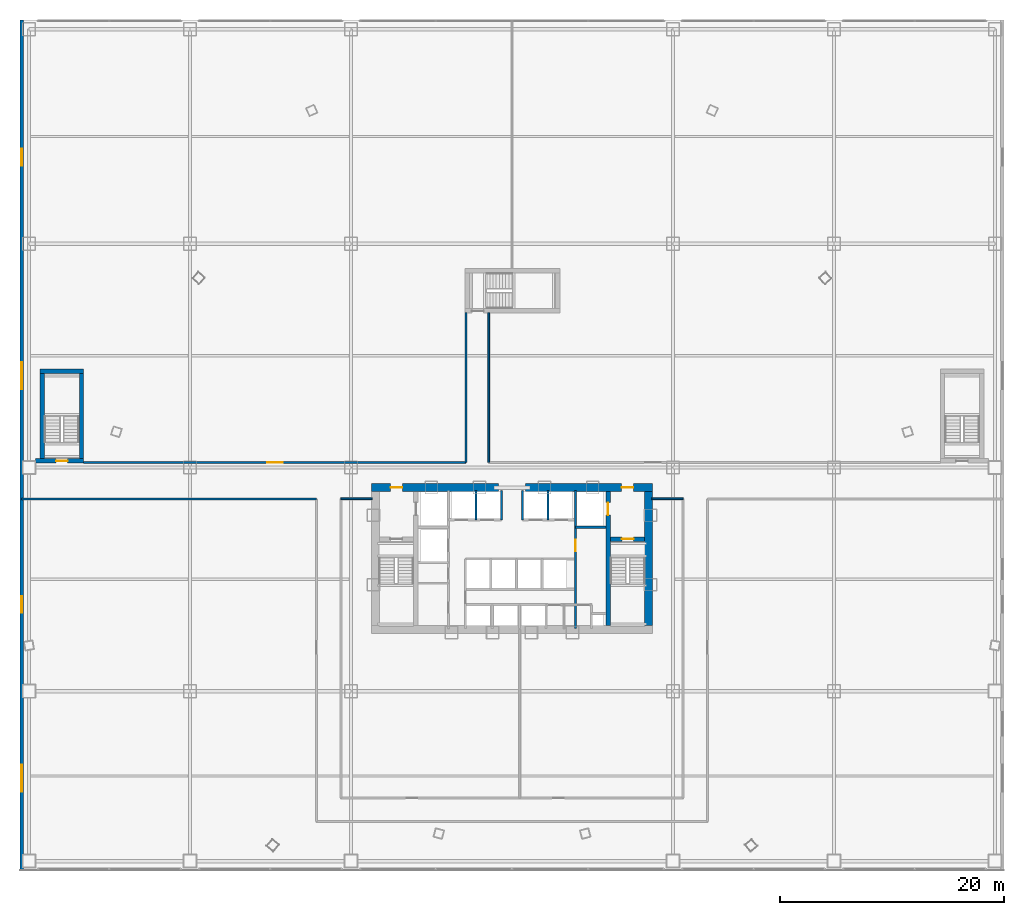
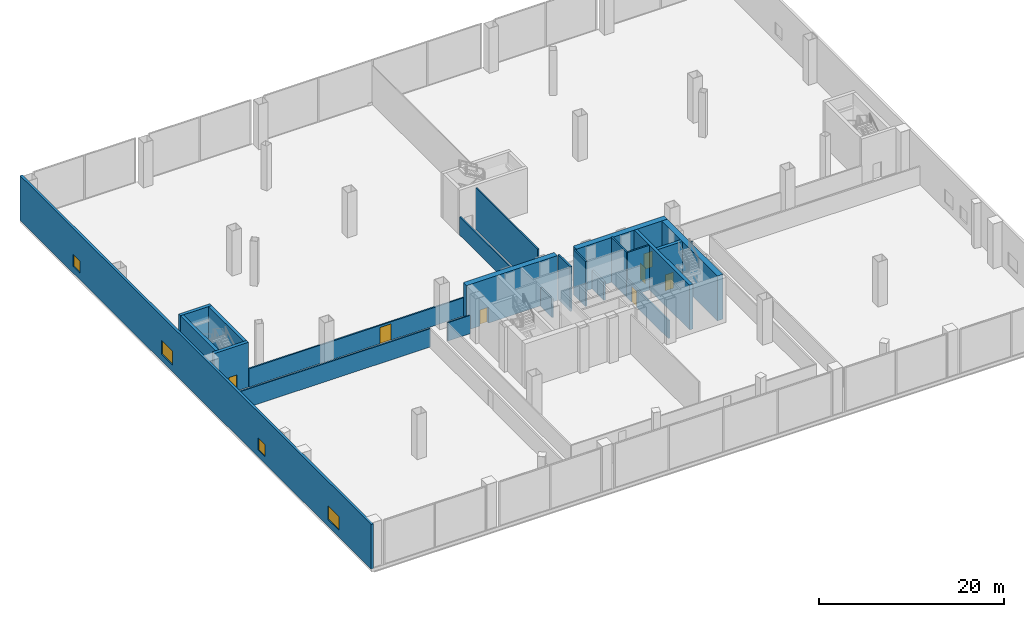
# One storey, part 35 of 41: 23 walls, 7 doors, 4 windows, 11 openings.
"""IFC4 building model written with IfcOpenShell, lengths in metres."""

from ifc_helpers import new_model, si_unit, direction, frame, frame_2d, origin, origin_with_axes, place, context, subcontext, project, spatial, rectangle, extrude, source, transform, mapped, material, layer, layer_set, type_object, element, fill, save


model = new_model("IFC4")

# Units and contexts
model_context = context("Model", 3, precision=1e-05, world=origin(), true_north=direction((0.0, 1.0)))
body_context = subcontext(model_context, "Body", "Model", "MODEL_VIEW")
ifc_project = project(units=[si_unit("LENGTHUNIT", "METRE"), si_unit("AREAUNIT", "SQUARE_METRE"), si_unit("VOLUMEUNIT", "CUBIC_METRE"), si_unit("PLANEANGLEUNIT", "RADIAN"), si_unit("MASSUNIT", "GRAM", prefix="KILO"), si_unit("THERMODYNAMICTEMPERATUREUNIT", "KELVIN"), si_unit("POWERUNIT", "WATT")], contexts=[model_context])

# Site, building, storey
site_placement = place(None, origin())
site = spatial("IfcSite", under=ifc_project, at=site_placement, CompositionType="ELEMENT")
building_placement = place(site_placement, origin())
building = spatial("IfcBuilding", under=site, at=building_placement, Name="Yunzhuo Pagoda Commons", CompositionType="ELEMENT")
storey_placement = place(building_placement, frame((0.0, 0.0, 19.199951171875)))
storey = spatial("IfcBuildingStorey", under=building, at=storey_placement, Name="L05", CompositionType="ELEMENT", Elevation=19.199951171875)

# Wall, opening, door
ifc_material_1 = material(Name="Concrete C60", Category="concrete")
ifc_layer_1 = layer(ifc_material_1, 0.699951171875)
ifc_layer_set_1 = layer_set([ifc_layer_1], Name="Concrete C60")
wall_type_1 = type_object("IfcWallType", Name="W-C01 Lower Core Shear Wall 700", PredefinedType="SHEAR", material=ifc_layer_set_1)
wall_1_placement = place(storey_placement, frame((35.449951171875, 40.199951171875, 0.0), z_axis=(0.0, 0.0, 1.0), x_axis=(1.0, 0.0, 0.0)))
wall_1 = element("IfcWall", 1, at=wall_1_placement, inside=storey, type_object=wall_type_1, Name="L05 core shear wall NW", PredefinedType="SHEAR", context=body_context, shape_type="SweptSolid", body=[
    extrude(rectangle(XDim=11.35009765625, YDim=0.699951171875, at=frame_2d((5.675048828125, 0.0))), origin(), (0.0, 0.0, 1.0), 5.920166015625),
])
opening_1_placement = place(wall_1_placement, frame((1.699951171875, 0.0, 0.0)))
opening_1 = element("IfcOpeningElement", 2, at=opening_1_placement, cuts=wall_1, Name="Opening D-02", PredefinedType="OPENING", context=body_context, shape_type="SweptSolid", body=[
    extrude(rectangle(XDim=1.050048828125, YDim=2.10009765625, at=frame_2d((0.52490234375, 1.050048828125))), frame((0.0, 0.35986328125, 0.0), z_axis=(0.0, -1.0, 0.0), x_axis=(1.0, 0.0, 0.0)), (0.0, 0.0, 1.0), 0.719970703125),
])
ifc_material_2 = material(Name="Galvanized fire-resisting metal leaf")
door_type_1 = type_object("IfcDoorType", Name="D-02 Firefighting Lobby & Refuge Fire Door 1050x2100", OperationType="NOTDEFINED", PredefinedType="DOOR", material=ifc_material_2)
shared_shape_1 = source(origin(), body_context, "Body", "SweptSolid", [
    extrude(rectangle(XDim=1.050048828125, YDim=2.10009765625, at=frame_2d((0.52490234375, 1.050048828125))), frame((0.0, 0.02490234375, 0.0), z_axis=(0.0, -1.0, 0.0), x_axis=(1.0, 0.0, 0.0)), (0.0, 0.0, 1.0), 0.050048828125),
])
door_1_placement = place(opening_1_placement, frame((1.050048828125, 0.0, 0.0), z_axis=(0.0, 0.0, 1.0), x_axis=(-1.0, 0.0, 0.0)))
door_1 = element("IfcDoor", 3, at=door_1_placement, inside=storey, type_object=door_type_1, Name="L05 Firefighting Lobby 1 fire door", OperationType="SINGLE_SWING_LEFT", OverallHeight=2.10009765625, OverallWidth=1.050048828125, PredefinedType="DOOR", context=body_context, shape_type="MappedRepresentation", body=[
    mapped(shared_shape_1, transform((0.0, 0.0, 0.0), scale=1.0)),
])
fill(opening_1, door_1)

wall_2_placement = place(storey_placement, frame((49.199951171875, 40.199951171875, 0.0), z_axis=(0.0, 0.0, 1.0), x_axis=(1.0, 0.0, 0.0)))
wall_2 = element("IfcWall", 4, at=wall_2_placement, inside=storey, type_object=wall_type_1, Name="L05 core shear wall NE", PredefinedType="SHEAR", context=body_context, shape_type="SweptSolid", body=[
    extrude(rectangle(XDim=11.35009765625, YDim=0.699951171875, at=frame_2d((5.675048828125, 0.0))), origin(), (0.0, 0.0, 1.0), 5.920166015625),
])
opening_2_placement = place(wall_2_placement, frame((8.60009765625, 0.0, 0.0)))
opening_2 = element("IfcOpeningElement", 5, at=opening_2_placement, cuts=wall_2, Name="Opening D-02", PredefinedType="OPENING", context=body_context, shape_type="SweptSolid", body=[
    extrude(rectangle(XDim=1.050048828125, YDim=2.10009765625, at=frame_2d((0.52490234375, 1.050048828125))), frame((0.0, 0.35986328125, 0.0), z_axis=(0.0, -1.0, 0.0), x_axis=(1.0, 0.0, 0.0)), (0.0, 0.0, 1.0), 0.719970703125),
])
door_2_placement = place(opening_2_placement, frame((1.050048828125, 0.0, 0.0), z_axis=(0.0, 0.0, 1.0), x_axis=(-1.0, 0.0, 0.0)))
door_2 = element("IfcDoor", 6, at=door_2_placement, inside=storey, type_object=door_type_1, Name="L05 Firefighting Lobby 2 fire door", OperationType="SINGLE_SWING_RIGHT", OverallHeight=2.10009765625, OverallWidth=1.050048828125, PredefinedType="DOOR", context=body_context, shape_type="MappedRepresentation", body=[
    mapped(shared_shape_1, transform((0.0, 0.0, 0.0), scale=1.0)),
])
fill(opening_2, door_2)

# Walls
wall_3_placement = place(storey_placement, frame((60.199951171875, 27.85009765625, 0.0), z_axis=(0.0, 0.0, 1.0), x_axis=(0.0, 1.0, 0.0)))
element("IfcWall", 7, at=wall_3_placement, inside=storey, type_object=wall_type_1, Name="L05 core shear wall E", PredefinedType="SHEAR", context=body_context, shape_type="SweptSolid", body=[
    extrude(rectangle(XDim=12.0, YDim=0.699951171875, at=frame_2d((6.0, 0.0))), origin(), (0.0, 0.0, 1.0), 5.920166015625),
])
ifc_material_3 = material(Name="Gypsum plasterboard on acoustic stud")
ifc_layer_2 = layer(ifc_material_3, 0.159912109375)
ifc_layer_set_2 = layer_set([ifc_layer_2], Name="Gypsum plasterboard on acoustic stud")
wall_type_2 = type_object("IfcWallType", Name="W-COR1 Tower Rated Corridor Wall 160", PredefinedType="PARTITIONING", material=ifc_layer_set_2)
wall_4_placement = place(storey_placement, frame((43.8798828125, 42.449951171875, 0.0), z_axis=(0.0, 0.0, 1.0), x_axis=(0.0, 1.0, 0.0)))
element("IfcWall", 8, at=wall_4_placement, inside=storey, type_object=wall_type_2, Name="L05 interior wall IW-L05-SPNW", PredefinedType="PARTITIONING", context=body_context, shape_type="SweptSolid", body=[
    extrude(rectangle(XDim=13.400146484375, YDim=0.159912109375, at=frame_2d((6.7001953125, 0.0))), origin(), (0.0, 0.0, 1.0), 2.420166015625),
])
wall_5_placement = place(storey_placement, frame((45.919921875, 42.449951171875, 0.0), z_axis=(0.0, 0.0, 1.0), x_axis=(0.0, 1.0, 0.0)))
element("IfcWall", 9, at=wall_5_placement, inside=storey, type_object=wall_type_2, Name="L05 interior wall IW-L05-SPNE", PredefinedType="PARTITIONING", context=body_context, shape_type="SweptSolid", body=[
    extrude(rectangle(XDim=13.400146484375, YDim=0.159912109375, at=frame_2d((6.7001953125, 0.0))), origin(), (0.0, 0.0, 1.0), 5.52001953125),
])
for number, where, z_axis, x_axis, name in (
    (10, (32.699951171875, 39.199951171875, 0.0), (0.0, 0.0, 1.0), (1.0, 0.0, 0.0), "L05 interior wall IW-L05-PSMNW"),
    (11, (60.5, 39.199951171875, 0.0), (0.0, 0.0, 1.0), (1.0, 0.0, 0.0), "L05 interior wall IW-L05-PSMNE"),
):
    element("IfcWall", number, at=place(storey_placement, frame(where, z_axis=z_axis, x_axis=x_axis)), inside=storey, type_object=wall_type_2, Name=name, PredefinedType="PARTITIONING", context=body_context, shape_type="SweptSolid", body=[
        extrude(rectangle(XDim=2.800048828125, YDim=0.159912109375, at=frame_2d((1.39990234375, 0.0))), origin(), (0.0, 0.0, 1.0), 2.420166015625),
    ])

# Wall, openings, windows
ifc_material_4 = material(Name="Precast concrete C40", Category="concrete")
ifc_layer_3 = layer(ifc_material_4, 0.300048828125)
ifc_layer_set_3 = layer_set([ifc_layer_3], Name="Precast concrete C40")
wall_type_3 = type_object("IfcWallType", Name="W-EXT1 Podium Precast Spandrel Wall 300", PredefinedType="STANDARD", material=ifc_layer_set_3)
wall_6_placement = place(storey_placement, frame((4.14990234375, 6.0, 0.0), z_axis=(0.0, 0.0, 1.0), x_axis=(0.0, 1.0, 0.0)))
wall_6 = element("IfcWall", 12, at=wall_6_placement, inside=storey, type_object=wall_type_3, Name="L05 W precast spandrel wall", PredefinedType="STANDARD", context=body_context, shape_type="SweptSolid", body=[
    extrude(rectangle(XDim=76.0, YDim=0.300048828125, at=frame_2d((38.0, 0.0))), origin(), (0.0, 0.0, 1.0), 5.920166015625),
])
opening_3_placement = place(wall_6_placement, frame((7.0, 0.0, 0.89990234375)))
opening_3 = element("IfcOpeningElement", 13, at=opening_3_placement, cuts=wall_6, Name="Opening W-01", PredefinedType="OPENING", context=body_context, shape_type="SweptSolid", body=[
    extrude(rectangle(XDim=2.39990234375, YDim=1.800048828125, at=frame_2d((1.199951171875, 0.89990234375))), frame((0.0, 0.16015625, 0.0), z_axis=(0.0, -1.0, 0.0), x_axis=(1.0, 0.0, 0.0)), (0.0, 0.0, 1.0), 0.320068359375),
])
opening_4_placement = place(wall_6_placement, frame((23.0, 0.0, 0.89990234375)))
opening_4 = element("IfcOpeningElement", 14, at=opening_4_placement, cuts=wall_6, Name="Opening W-02", PredefinedType="OPENING", context=body_context, shape_type="SweptSolid", body=[
    extrude(rectangle(XDim=1.5, YDim=1.60009765625, at=frame_2d((0.75, 0.800048828125))), frame((0.0, 0.16015625, 0.0), z_axis=(0.0, -1.0, 0.0), x_axis=(1.0, 0.0, 0.0)), (0.0, 0.0, 1.0), 0.320068359375),
])
opening_5_placement = place(wall_6_placement, frame((43.0, 0.0, 0.89990234375)))
opening_5 = element("IfcOpeningElement", 15, at=opening_5_placement, cuts=wall_6, Name="Opening W-01", PredefinedType="OPENING", context=body_context, shape_type="SweptSolid", body=[
    extrude(rectangle(XDim=2.39990234375, YDim=1.800048828125, at=frame_2d((1.199951171875, 0.89990234375))), frame((0.0, 0.16015625, 0.0), z_axis=(0.0, -1.0, 0.0), x_axis=(1.0, 0.0, 0.0)), (0.0, 0.0, 1.0), 0.320068359375),
])
opening_6_placement = place(wall_6_placement, frame((63.0, 0.0, 0.89990234375)))
opening_6 = element("IfcOpeningElement", 16, at=opening_6_placement, cuts=wall_6, Name="Opening W-02", PredefinedType="OPENING", context=body_context, shape_type="SweptSolid", body=[
    extrude(rectangle(XDim=1.5, YDim=1.60009765625, at=frame_2d((0.75, 0.800048828125))), frame((0.0, 0.16015625, 0.0), z_axis=(0.0, -1.0, 0.0), x_axis=(1.0, 0.0, 0.0)), (0.0, 0.0, 1.0), 0.320068359375),
])
ifc_material_5 = material(Name="Tempered low-e double glazing", Category="glass")
window_type_1 = type_object("IfcWindowType", Name="W-01 Podium Fixed Ribbon Window 2400x1800", PartitioningType="DOUBLE_PANEL_VERTICAL", PredefinedType="WINDOW", material=ifc_material_5)
shared_shape_2 = source(origin(), body_context, "Body", "SweptSolid", [
    extrude(rectangle(XDim=2.39990234375, YDim=1.800048828125, at=frame_2d((1.199951171875, 0.89990234375))), frame((0.0, 0.030029296875, 0.0), z_axis=(0.0, -1.0, 0.0), x_axis=(1.0, 0.0, 0.0)), (0.0, 0.0, 1.0), 0.06005859375),
])
window_1_placement = place(opening_3_placement, origin_with_axes())
window_1 = element("IfcWindow", 17, at=window_1_placement, inside=storey, type_object=window_type_1, Name="L05 W window 1", OverallHeight=1.800048828125, OverallWidth=2.39990234375, PartitioningType="SINGLE_PANEL", PredefinedType="WINDOW", context=body_context, shape_type="MappedRepresentation", body=[
    mapped(shared_shape_2, transform((0.0, 0.0, 0.0), scale=1.0)),
])
fill(opening_3, window_1)
window_2_placement = place(opening_5_placement, origin_with_axes())
window_2 = element("IfcWindow", 18, at=window_2_placement, inside=storey, type_object=window_type_1, Name="L05 W window 3", OverallHeight=1.800048828125, OverallWidth=2.39990234375, PartitioningType="SINGLE_PANEL", PredefinedType="WINDOW", context=body_context, shape_type="MappedRepresentation", body=[
    mapped(shared_shape_2, transform((0.0, 0.0, 0.0), scale=1.0)),
])
fill(opening_5, window_2)
window_type_2 = type_object("IfcWindowType", Name="W-02 Podium Casement Window 1500x1600", PartitioningType="SINGLE_PANEL", PredefinedType="WINDOW", material=ifc_material_5)
shared_shape_3 = source(origin(), body_context, "Body", "SweptSolid", [
    extrude(rectangle(XDim=1.5, YDim=1.60009765625, at=frame_2d((0.75, 0.800048828125))), frame((0.0, 0.030029296875, 0.0), z_axis=(0.0, -1.0, 0.0), x_axis=(1.0, 0.0, 0.0)), (0.0, 0.0, 1.0), 0.06005859375),
])
window_3_placement = place(opening_4_placement, origin_with_axes())
window_3 = element("IfcWindow", 19, at=window_3_placement, inside=storey, type_object=window_type_2, Name="L05 W window 2", OverallHeight=1.60009765625, OverallWidth=1.5, PartitioningType="SINGLE_PANEL", PredefinedType="WINDOW", context=body_context, shape_type="MappedRepresentation", body=[
    mapped(shared_shape_3, transform((0.0, 0.0, 0.0), scale=1.0)),
])
fill(opening_4, window_3)
window_4_placement = place(opening_6_placement, origin_with_axes())
window_4 = element("IfcWindow", 20, at=window_4_placement, inside=storey, type_object=window_type_2, Name="L05 W window 4", OverallHeight=1.60009765625, OverallWidth=1.5, PartitioningType="SINGLE_PANEL", PredefinedType="WINDOW", context=body_context, shape_type="MappedRepresentation", body=[
    mapped(shared_shape_3, transform((0.0, 0.0, 0.0), scale=1.0)),
])
fill(opening_6, window_4)

# Wall, opening, door
ifc_layer_4 = layer(ifc_material_3, 0.179931640625)
ifc_layer_set_4 = layer_set([ifc_layer_4], Name="Gypsum plasterboard on acoustic stud")
wall_type_4 = type_object("IfcWallType", Name="W-PRT2 Acoustic Unit Demising Wall 180", PredefinedType="PARTITIONING", material=ifc_layer_set_4)
wall_7_placement = place(storey_placement, frame((9.699951171875, 42.449951171875, 0.0), z_axis=(0.0, 0.0, 1.0), x_axis=(1.0, 0.0, 0.0)))
wall_7 = element("IfcWall", 21, at=wall_7_placement, inside=storey, type_object=wall_type_4, Name="L05 interior wall IW-L05-PNWW", PredefinedType="PARTITIONING", context=body_context, shape_type="SweptSolid", body=[
    extrude(rectangle(XDim=34.179931640625, YDim=0.179931640625, at=frame_2d((17.08984375, 0.0))), origin(), (0.0, 0.0, 1.0), 2.420166015625),
])
opening_7_placement = place(wall_7_placement, frame((16.389892578125, 0.0, 0.0)))
opening_7 = element("IfcOpeningElement", 22, at=opening_7_placement, cuts=wall_7, Name="Opening D-10", PredefinedType="OPENING", context=body_context, shape_type="SweptSolid", body=[
    extrude(rectangle(XDim=1.39990234375, YDim=2.14990234375, at=frame_2d((0.699951171875, 1.074951171875))), frame((0.0, 0.10009765625, 0.0), z_axis=(0.0, -1.0, 0.0), x_axis=(1.0, 0.0, 0.0)), (0.0, 0.0, 1.0), 0.199951171875),
])
door_type_2 = type_object("IfcDoorType", Name="D-10 Podium Dining & Library Double Leaf Door 1400x2150", OperationType="NOTDEFINED", PredefinedType="DOOR", material=ifc_material_2)
shared_shape_4 = source(origin(), body_context, "Body", "SweptSolid", [
    extrude(rectangle(XDim=1.39990234375, YDim=2.14990234375, at=frame_2d((0.699951171875, 1.074951171875))), frame((0.0, 0.02490234375, 0.0), z_axis=(0.0, -1.0, 0.0), x_axis=(1.0, 0.0, 0.0)), (0.0, 0.0, 1.0), 0.050048828125),
])
door_3_placement = place(opening_7_placement, origin_with_axes())
door_3 = element("IfcDoor", 23, at=door_3_placement, inside=storey, type_object=door_type_2, Name="L05 Fitness and Wellness Commons door W", OperationType="SINGLE_SWING_LEFT", OverallHeight=2.14990234375, OverallWidth=1.39990234375, PredefinedType="DOOR", context=body_context, shape_type="MappedRepresentation", body=[
    mapped(shared_shape_4, transform((0.0, 0.0, 0.0), scale=1.0)),
])
fill(opening_7, door_3)

# Wall
wall_8_placement = place(storey_placement, frame((4.14990234375, 39.199951171875, 0.0), z_axis=(0.0, 0.0, 1.0), x_axis=(1.0, 0.0, 0.0)))
element("IfcWall", 24, at=wall_8_placement, inside=storey, type_object=wall_type_4, Name="L05 interior wall IW-L05-PWESTN", PredefinedType="PARTITIONING", context=body_context, shape_type="SweptSolid", body=[
    extrude(rectangle(XDim=26.35009765625, YDim=0.179931640625, at=frame_2d((13.175048828125, 0.0))), origin(), (0.0, 0.0, 1.0), 2.420166015625),
])

# Wall, opening, door
ifc_layer_5 = layer(ifc_material_1, 0.39990234375)
ifc_layer_set_5 = layer_set([ifc_layer_5], Name="Concrete C60")
wall_type_5 = type_object("IfcWallType", Name="W-S01 Internal Core Shear Web 400", PredefinedType="SHEAR", material=ifc_layer_set_5)
wall_9_placement = place(storey_placement, frame((56.60009765625, 27.85009765625, 0.0), z_axis=(0.0, 0.0, 1.0), x_axis=(0.0, 1.0, 0.0)))
wall_9 = element("IfcWall", 25, at=wall_9_placement, inside=storey, type_object=wall_type_5, Name="L05 core shear wall WEBE", PredefinedType="SHEAR", context=body_context, shape_type="SweptSolid", body=[
    extrude(rectangle(XDim=12.0, YDim=0.39990234375, at=frame_2d((6.0, 0.0))), origin(), (0.0, 0.0, 1.0), 5.920166015625),
])
opening_8_placement = place(wall_9_placement, frame((9.89990234375, 0.0, 0.0)))
opening_8 = element("IfcOpeningElement", 26, at=opening_8_placement, cuts=wall_9, Name="Opening LD-01", PredefinedType="OPENING", context=body_context, shape_type="SweptSolid", body=[
    extrude(rectangle(XDim=1.10009765625, YDim=2.10009765625, at=frame_2d((0.550048828125, 1.050048828125))), frame((0.0, 0.2099609375, 0.0), z_axis=(0.0, -1.0, 0.0), x_axis=(1.0, 0.0, 0.0)), (0.0, 0.0, 1.0), 0.419921875),
])
door_type_3 = type_object("IfcDoorType", Name="LD-01 Firefighting Lift Landing Door 1100x2100", OperationType="DOUBLE_DOOR_SLIDING", PredefinedType="DOOR", material=ifc_material_2)
shared_shape_5 = source(origin(), body_context, "Body", "SweptSolid", [
    extrude(rectangle(XDim=1.10009765625, YDim=2.10009765625, at=frame_2d((0.550048828125, 1.050048828125))), frame((0.0, 0.02490234375, 0.0), z_axis=(0.0, -1.0, 0.0), x_axis=(1.0, 0.0, 0.0)), (0.0, 0.0, 1.0), 0.050048828125),
])
door_4_placement = place(opening_8_placement, origin_with_axes())
door_4 = element("IfcDoor", 27, at=door_4_placement, inside=storey, type_object=door_type_3, Name="L05 Firefighting lift FL-2 landing door", OperationType="DOUBLE_DOOR_SLIDING", OverallHeight=2.10009765625, OverallWidth=1.10009765625, PredefinedType="DOOR", context=body_context, shape_type="MappedRepresentation", body=[
    mapped(shared_shape_5, transform((0.0, 0.0, 0.0), scale=1.0)),
])
fill(opening_8, door_4)

wall_10_placement = place(storey_placement, frame((56.800048828125, 35.60009765625, 0.0), z_axis=(0.0, 0.0, 1.0), x_axis=(1.0, 0.0, 0.0)))
wall_10 = element("IfcWall", 28, at=wall_10_placement, inside=storey, type_object=wall_type_5, Name="L05 core shear wall STE", PredefinedType="SHEAR", context=body_context, shape_type="SweptSolid", body=[
    extrude(rectangle(XDim=3.050048828125, YDim=0.39990234375, at=frame_2d((1.52490234375, 0.0))), origin(), (0.0, 0.0, 1.0), 5.920166015625),
])
opening_9_placement = place(wall_10_placement, frame((1.02001953125, 0.0, 0.0)))
opening_9 = element("IfcOpeningElement", 29, at=opening_9_placement, cuts=wall_10, Name="Opening D-01", PredefinedType="OPENING", context=body_context, shape_type="SweptSolid", body=[
    extrude(rectangle(XDim=1.050048828125, YDim=2.10009765625, at=frame_2d((0.52490234375, 1.050048828125))), frame((0.0, 0.2099609375, 0.0), z_axis=(0.0, -1.0, 0.0), x_axis=(1.0, 0.0, 0.0)), (0.0, 0.0, 1.0), 0.419921875),
])
door_type_4 = type_object("IfcDoorType", Name="D-01 Smokeproof Stair Fire Door 1050x2100", OperationType="NOTDEFINED", PredefinedType="DOOR", material=ifc_material_2)
door_5_placement = place(opening_9_placement, frame((1.050048828125, 0.0, 0.0), z_axis=(0.0, 0.0, 1.0), x_axis=(-1.0, 0.0, 0.0)))
door_5 = element("IfcDoor", 30, at=door_5_placement, inside=storey, type_object=door_type_4, Name="L05 Stair ST2 fire door", OperationType="SINGLE_SWING_RIGHT", OverallHeight=2.10009765625, OverallWidth=1.050048828125, PredefinedType="DOOR", context=body_context, shape_type="MappedRepresentation", body=[
    mapped(shared_shape_1, transform((0.0, 0.0, 0.0), scale=1.0)),
])
fill(opening_9, door_5)

# Wall
wall_11_placement = place(storey_placement, frame((5.800048828125, 50.60009765625, 0.0), z_axis=(0.0, 0.0, 1.0), x_axis=(1.0, 0.0, 0.0)))
element("IfcWall", 31, at=wall_11_placement, inside=storey, type_object=wall_type_5, Name="L05 PS3 structural stair wall N", PredefinedType="SHEAR", context=body_context, shape_type="SweptSolid", body=[
    extrude(rectangle(XDim=3.89990234375, YDim=0.39990234375, at=frame_2d((1.949951171875, 0.0))), origin(), (0.0, 0.0, 1.0), 5.920166015625),
])

# Wall, opening, door
wall_12_placement = place(storey_placement, frame((5.39990234375, 42.60009765625, 0.0), z_axis=(0.0, 0.0, 1.0), x_axis=(1.0, 0.0, 0.0)))
wall_12 = element("IfcWall", 32, at=wall_12_placement, inside=storey, type_object=wall_type_5, Name="L05 PS3 structural stair wall S", PredefinedType="SHEAR", context=body_context, shape_type="SweptSolid", body=[
    extrude(rectangle(XDim=4.300048828125, YDim=0.39990234375, at=frame_2d((2.14990234375, 0.0))), origin(), (0.0, 0.0, 1.0), 5.920166015625),
])
opening_10_placement = place(wall_12_placement, frame((1.820068359375, 0.0, 0.0)))
opening_10 = element("IfcOpeningElement", 33, at=opening_10_placement, cuts=wall_12, Name="Opening D-01", PredefinedType="OPENING", context=body_context, shape_type="SweptSolid", body=[
    extrude(rectangle(XDim=1.050048828125, YDim=2.10009765625, at=frame_2d((0.52490234375, 1.050048828125))), frame((0.0, 0.2099609375, 0.0), z_axis=(0.0, -1.0, 0.0), x_axis=(1.0, 0.0, 0.0)), (0.0, 0.0, 1.0), 0.419921875),
])
door_6_placement = place(opening_10_placement, frame((1.050048828125, 0.0, 0.0), z_axis=(0.0, 0.0, 1.0), x_axis=(-1.0, 0.0, 0.0)))
door_6 = element("IfcDoor", 34, at=door_6_placement, inside=storey, type_object=door_type_4, Name="L05 PS3 stair fire door", OperationType="SINGLE_SWING_LEFT", OverallHeight=2.10009765625, OverallWidth=1.050048828125, PredefinedType="DOOR", context=body_context, shape_type="MappedRepresentation", body=[
    mapped(shared_shape_1, transform((0.0, 0.0, 0.0), scale=1.0)),
])
fill(opening_10, door_6)

# Walls
for number, where, z_axis, x_axis, name in (
    (35, (6.0, 42.800048828125, 0.0), (0.0, 0.0, 1.0), (0.0, 1.0, 0.0), "L05 PS3 structural stair wall W"),
    (36, (9.5, 42.800048828125, 0.0), (0.0, 0.0, 1.0), (0.0, 1.0, 0.0), "L05 PS3 structural stair wall E"),
):
    element("IfcWall", number, at=place(storey_placement, frame(where, z_axis=z_axis, x_axis=x_axis)), inside=storey, type_object=wall_type_5, Name=name, PredefinedType="SHEAR", context=body_context, shape_type="SweptSolid", body=[
        extrude(rectangle(XDim=7.599853515625, YDim=0.39990234375, at=frame_2d((3.7998046875, 0.0))), origin(), (0.0, 0.0, 1.0), 5.920166015625),
    ])
ifc_material_6 = material(Name="Concrete C40", Category="concrete")
ifc_layer_6 = layer(ifc_material_6, 0.199951171875)
ifc_layer_set_6 = layer_set([ifc_layer_6], Name="Concrete C40")
wall_type_6 = type_object("IfcWallType", Name="W-SHF Shaft & Stair Enclosure Wall 200", PredefinedType="SOLIDWALL", material=ifc_layer_set_6)
wall_13_placement = place(storey_placement, frame((53.679931640625, 36.64990234375, 0.0), z_axis=(0.0, 0.0, 1.0), x_axis=(0.0, 1.0, 0.0)))
element("IfcWall", 37, at=wall_13_placement, inside=storey, type_object=wall_type_6, Name="L05 interior wall IW-L05-FL2W", PredefinedType="SOLIDWALL", context=body_context, shape_type="SweptSolid", body=[
    extrude(rectangle(XDim=3.300048828125, YDim=0.199951171875, at=frame_2d((1.64990234375, 0.0))), origin(), (0.0, 0.0, 1.0), 5.920166015625),
])
wall_14_placement = place(storey_placement, frame((53.679931640625, 36.64990234375, 0.0), z_axis=(0.0, 0.0, 1.0), x_axis=(1.0, 0.0, 0.0)))
element("IfcWall", 38, at=wall_14_placement, inside=storey, type_object=wall_type_6, Name="L05 interior wall IW-L05-FL2S", PredefinedType="SOLIDWALL", context=body_context, shape_type="SweptSolid", body=[
    extrude(rectangle(XDim=2.719970703125, YDim=0.199951171875, at=frame_2d((1.35986328125, 0.0))), origin(), (0.0, 0.0, 1.0), 5.920166015625),
])
for number, where, z_axis, x_axis, name in (
    (39, (47.050048828125, 37.320068359375, 0.0), (0.0, 0.0, 1.0), (0.0, 1.0, 0.0), "L05 interior wall IW-L05-THRW"),
    (40, (48.949951171875, 37.320068359375, 0.0), (0.0, 0.0, 1.0), (0.0, 1.0, 0.0), "L05 interior wall IW-L05-THRE"),
):
    element("IfcWall", number, at=place(storey_placement, frame(where, z_axis=z_axis, x_axis=x_axis)), inside=storey, type_object=wall_type_6, Name=name, PredefinedType="SOLIDWALL", context=body_context, shape_type="SweptSolid", body=[
        extrude(rectangle(XDim=2.6298828125, YDim=0.199951171875, at=frame_2d((1.31494140625, 0.0))), origin(), (0.0, 0.0, 1.0), 5.920166015625),
    ])
for number, where, z_axis, x_axis, name in (
    (41, (44.77001953125, 37.320068359375, 0.0), (0.0, 0.0, 1.0), (0.0, 1.0, 0.0), "L05 interior wall IW-L05-PLL12"),
    (42, (51.22998046875, 37.320068359375, 0.0), (0.0, 0.0, 1.0), (0.0, 1.0, 0.0), "L05 interior wall IW-L05-PLL34"),
):
    element("IfcWall", number, at=place(storey_placement, frame(where, z_axis=z_axis, x_axis=x_axis)), inside=storey, type_object=wall_type_6, Name=name, PredefinedType="SOLIDWALL", context=body_context, shape_type="SweptSolid", body=[
        extrude(rectangle(XDim=2.6298828125, YDim=0.199951171875, at=frame_2d((1.31494140625, 0.0))), origin(), (0.0, 0.0, 1.0), 2.420166015625),
    ])

# Wall, opening, door
wall_15_placement = place(storey_placement, frame((53.679931640625, 27.60009765625, 0.0), z_axis=(0.0, 0.0, 1.0), x_axis=(0.0, 1.0, 0.0)))
wall_15 = element("IfcWall", 43, at=wall_15_placement, inside=storey, type_object=wall_type_6, Name="L05 interior wall IW-L05-PLME", PredefinedType="SOLIDWALL", context=body_context, shape_type="SweptSolid", body=[
    extrude(rectangle(XDim=9.0498046875, YDim=0.199951171875, at=frame_2d((4.52490234375, 0.0))), origin(), (0.0, 0.0, 1.0), 2.420166015625),
])
opening_11_placement = place(wall_15_placement, frame((6.89990234375, 0.0, 0.0)))
opening_11 = element("IfcOpeningElement", 44, at=opening_11_placement, cuts=wall_15, Name="Opening D-02", PredefinedType="OPENING", context=body_context, shape_type="SweptSolid", body=[
    extrude(rectangle(XDim=1.050048828125, YDim=2.10009765625, at=frame_2d((0.52490234375, 1.050048828125))), frame((0.0, 0.10986328125, 0.0), z_axis=(0.0, -1.0, 0.0), x_axis=(1.0, 0.0, 0.0)), (0.0, 0.0, 1.0), 0.219970703125),
])
door_7_placement = place(opening_11_placement, origin_with_axes())
door_7 = element("IfcDoor", 45, at=door_7_placement, inside=storey, type_object=door_type_1, Name="L05 High-bank lift hall door", OperationType="SINGLE_SWING_RIGHT", OverallHeight=2.10009765625, OverallWidth=1.050048828125, PredefinedType="DOOR", context=body_context, shape_type="MappedRepresentation", body=[
    mapped(shared_shape_1, transform((0.0, 0.0, 0.0), scale=1.0)),
])
fill(opening_11, door_7)

save(model, "model.ifc")
